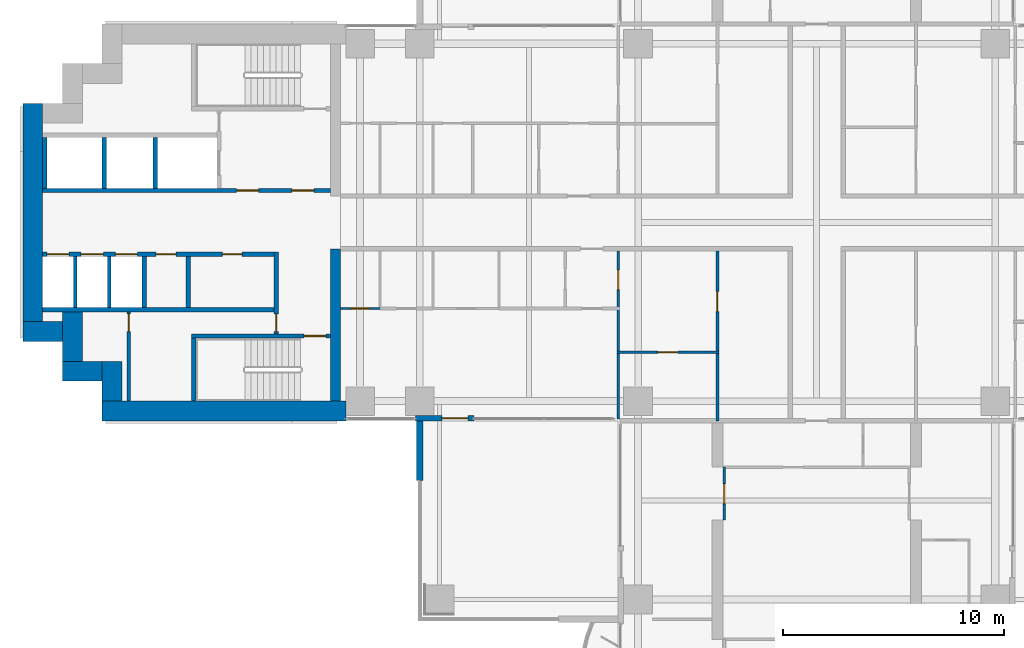
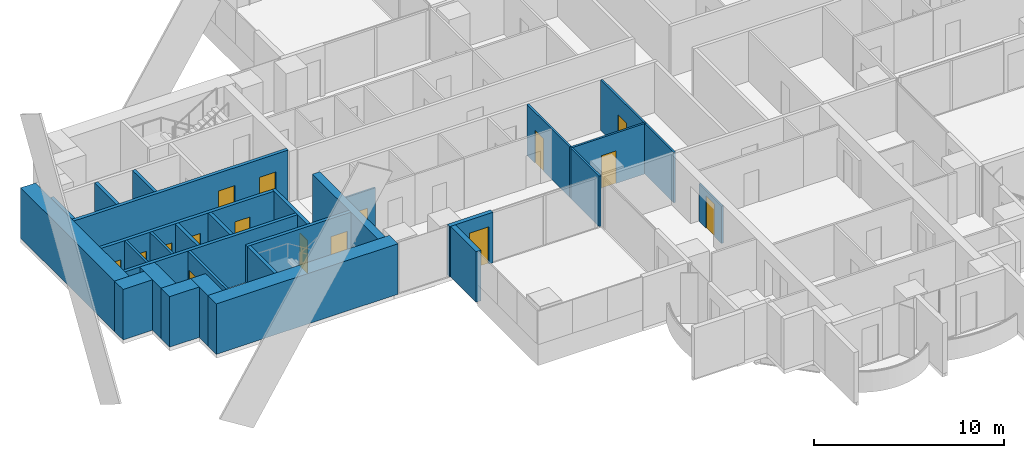
# One storey, part 11 of 21: 28 walls, 16 doors, 16 openings.
"""IFC4 building model written with IfcOpenShell, lengths in metres."""

import ifcopenshell
import ifcopenshell.guid

model = None  # the IFC model being written
_history = None  # IfcOwnerHistory: only IFC2X3 demands one
_inside = {}  # id of a spatial element -> (the spatial element, [elements in it])
_under = {}  # id of a project, library or spatial element -> (it, [spatial elements below it])
_declared = {}  # id of a project -> (the project, [libraries it declares])
_typed = {}  # id of a type object -> (the type object, [elements of that type])
_made_of = {}  # id of a material, layer set ... -> (it, [elements and type objects made of it])


def new_model(schema):
    """Start an empty IFC model of exactly this schema.

    Asked for "IFC4X3", IfcOpenShell would pick the latest addendum, in which some entities
    have other attributes; the version numbers below select the first issue.
    IFC2X3 requires an IfcOwnerHistory on every rooted entity: one is made here for all.
    """
    global model, _history
    if schema == "IFC4X3":
        model = ifcopenshell.file(schema_version=(4, 3, 0, 0))
    else:
        model = ifcopenshell.file(schema=schema)
    _inside.clear()
    _under.clear()
    _declared.clear()
    _typed.clear()
    _made_of.clear()
    _history = None
    if model.schema == "IFC2X3":
        org = make("IfcOrganization", Name="unknown")
        user = make(
            "IfcPersonAndOrganization",
            ThePerson=make("IfcPerson", FamilyName="unknown"),
            TheOrganization=org,
        )
        app = make(
            "IfcApplication",
            ApplicationDeveloper=org,
            Version="unknown",
            ApplicationFullName="unknown",
            ApplicationIdentifier="unknown",
        )
        _history = make(
            "IfcOwnerHistory",
            OwningUser=user,
            OwningApplication=app,
            ChangeAction="ADDED",
            CreationDate=0,
        )
    return model


def make(cls, **values):
    """One entity of the class cls with the attributes given. An attribute that is None is left unset."""
    return model.create_entity(
        cls, **{name: value for name, value in values.items() if value is not None}
    )


def rooted(cls, **values):
    """An entity with a GlobalId (a new one), such as an element, a storey or a relation."""
    return make(cls, GlobalId=ifcopenshell.guid.new(), OwnerHistory=_history, **values)


def si_unit(unit_type, name, prefix=None):
    """IfcSIUnit, for example si_unit("LENGTHUNIT", "METRE", prefix="MILLI")."""
    return make("IfcSIUnit", UnitType=unit_type, Prefix=prefix, Name=name)


def assignment(units):
    """IfcUnitAssignment: the units of a project."""
    return None if units is None else make("IfcUnitAssignment", Units=units)


def point(xyz):
    """IfcCartesianPoint."""
    return None if xyz is None else make("IfcCartesianPoint", Coordinates=xyz)


def direction(xyz):
    """IfcDirection."""
    return None if xyz is None else make("IfcDirection", DirectionRatios=xyz)


def frame(location, z_axis=None, x_axis=None):
    """IfcAxis2Placement3D, a coordinate frame: its origin and axes. An axis left out is left unset."""
    return make(
        "IfcAxis2Placement3D",
        Location=point(location),
        Axis=direction(z_axis),
        RefDirection=direction(x_axis),
    )


def frame_2d(location, x_axis=None):
    """IfcAxis2Placement2D, a coordinate frame in the plane: its origin and x axis."""
    return make(
        "IfcAxis2Placement2D", Location=point(location), RefDirection=direction(x_axis)
    )


def origin():
    """The frame at (0, 0, 0) with its axes left unset."""
    return frame((0.0, 0.0, 0.0))


def place(relative_to, where):
    """IfcLocalPlacement: puts the frame where relative to a parent placement (None: the world)."""
    return make(
        "IfcLocalPlacement", PlacementRelTo=relative_to, RelativePlacement=where
    )


def context(
    kind, dimensions, precision=None, world=None, true_north=None, identifier=None
):
    """IfcGeometricRepresentationContext, for example the 3D "Model" context."""
    return make(
        "IfcGeometricRepresentationContext",
        ContextIdentifier=identifier,
        ContextType=kind,
        CoordinateSpaceDimension=dimensions,
        Precision=precision,
        WorldCoordinateSystem=world,
        TrueNorth=true_north,
    )


def subcontext(parent, identifier, kind, view, scale=None):
    """IfcGeometricRepresentationSubContext, for example "Body" below "Model"."""
    return make(
        "IfcGeometricRepresentationSubContext",
        ContextIdentifier=identifier,
        ContextType=kind,
        ParentContext=parent,
        TargetScale=scale,
        TargetView=view,
    )


def project(units=None, contexts=None):
    """IfcProject with its units and contexts."""
    return rooted(
        "IfcProject",
        Name="project",
        RepresentationContexts=contexts,
        UnitsInContext=assignment(units),
    )


def spatial(cls, under=None, at=None, **own):
    """A site, building, storey or space (cls), placed at a placement, below another one or the project."""
    s = rooted(cls, ObjectPlacement=at, **own)
    if under is not None:
        _under.setdefault(under.id(), (under, []))[1].append(s)
    return s


def profile(cls, at=None, kind="AREA", **sizes):
    """A parametric profile (cls). Its sizes go by their IFC names, for example OverallWidth=200.0."""
    return make(cls, ProfileType=kind, Position=at, **sizes)


def rectangle(**sizes):
    """IfcRectangleProfileDef."""
    return profile("IfcRectangleProfileDef", **sizes)


def extrude(swept, where, along, depth):
    """IfcExtrudedAreaSolid: the profile swept, set in the frame where, extruded along a direction by depth."""
    return make(
        "IfcExtrudedAreaSolid",
        SweptArea=swept,
        Position=where,
        ExtrudedDirection=direction(along),
        Depth=depth,
    )


def shape(context_of_items, identifier, shape_type, items):
    """IfcShapeRepresentation: the items that make up one representation, for example the "Body"."""
    return make(
        "IfcShapeRepresentation",
        ContextOfItems=context_of_items,
        RepresentationIdentifier=identifier,
        RepresentationType=shape_type,
        Items=items,
    )


def material(Name=None, Category=None):
    """IfcMaterial."""
    return make("IfcMaterial", Name=Name, Category=Category)


def layer(
    of_material, thickness, ventilated=None, Name=None, Category=None, Priority=None
):
    """IfcMaterialLayer: one layer of a wall or slab, of a material (None: an air gap)."""
    return make(
        "IfcMaterialLayer",
        Material=of_material,
        LayerThickness=thickness,
        IsVentilated=ventilated,
        Name=Name,
        Category=Category,
        Priority=Priority,
    )


def layer_set(layers, Name=None):
    """IfcMaterialLayerSet."""
    return make("IfcMaterialLayerSet", MaterialLayers=layers, LayerSetName=Name)


def made_of(thing, what):
    """Note that an element or type object is made of a material, layer set ...; save() writes the relation."""
    if what is not None:
        _made_of.setdefault(what.id(), (what, []))[1].append(thing)
    return thing


def type_object(cls, material=None, **own):
    """A type object (cls), such as IfcWallType, which elements share."""
    return made_of(rooted(cls, **own), material)


def element(
    cls,
    number,
    at=None,
    inside=None,
    cuts=None,
    type_object=None,
    material=None,
    context=None,
    identifier="Body",
    shape_type=None,
    held_by="IfcProductDefinitionShape",
    body=None,
    shapes=None,
    **own,
):
    """One element of the class cls, such as IfcWall. Its Tag is "e" and its number.

    at: its placement. inside: the storey or other place that contains it. cuts: it is an
    opening in that element (IfcRelVoidsElement). A single representation is given by context,
    identifier, shape_type and body (its items); several are given by shapes. held_by: the class
    of the entity that holds the representations. save() writes the other relations.
    """
    e = rooted(cls, Tag="e%d" % number, ObjectPlacement=at, **own)
    if body is not None:
        shapes = [shape(context, identifier, shape_type, body)]
    if shapes is not None:
        e.Representation = make(held_by, Representations=shapes)
    if inside is not None:
        _inside.setdefault(inside.id(), (inside, []))[1].append(e)
    if cuts is not None:
        rooted(
            "IfcRelVoidsElement", RelatingBuildingElement=cuts, RelatedOpeningElement=e
        )
    if type_object is not None:
        _typed.setdefault(type_object.id(), (type_object, []))[1].append(e)
    return made_of(e, material)


def fill(opening, filler):
    """IfcRelFillsElement: the door or window that sits in an opening."""
    return rooted(
        "IfcRelFillsElement",
        RelatingOpeningElement=opening,
        RelatedBuildingElement=filler,
    )


def aggregate(whole, parts):
    """IfcRelAggregates: a whole, such as a stair, and the parts it consists of."""
    return rooted("IfcRelAggregates", RelatingObject=whole, RelatedObjects=parts)


def save(model, path):
    """Write the relations noted so far, then the file.

    IfcRelAggregates (storeys below a building ...), IfcRelContainedInSpatialStructure (elements
    in a storey), IfcRelDefinesByType, IfcRelAssociatesMaterial and IfcRelDeclares: one each for
    every whole, place, type object, material and project.
    """
    for whole, parts in _under.values():
        aggregate(whole, parts)
    for where, things in _inside.values():
        rooted(
            "IfcRelContainedInSpatialStructure",
            RelatedElements=things,
            RelatingStructure=where,
        )
    for kind, things in _typed.values():
        rooted("IfcRelDefinesByType", RelatedObjects=things, RelatingType=kind)
    for what, things in _made_of.values():
        rooted("IfcRelAssociatesMaterial", RelatedObjects=things, RelatingMaterial=what)
    for by, libraries in _declared.values():
        rooted("IfcRelDeclares", RelatingContext=by, RelatedDefinitions=libraries)
    model.write(path)


model = new_model("IFC4")

# Units and contexts
model_context = context("Model", 3, precision=1e-05, world=origin(), true_north=direction((0.0, 1.0)))
body_context = subcontext(model_context, "Body", "Model", "MODEL_VIEW")
ifc_project = project(units=[si_unit("LENGTHUNIT", "METRE"), si_unit("AREAUNIT", "SQUARE_METRE"), si_unit("VOLUMEUNIT", "CUBIC_METRE"), si_unit("PLANEANGLEUNIT", "RADIAN"), si_unit("MASSUNIT", "GRAM", prefix="KILO")], contexts=[model_context])

# Site, building, storey
site_placement = place(None, origin())
site = spatial("IfcSite", under=ifc_project, at=site_placement, CompositionType="ELEMENT")
building_placement = place(site_placement, origin())
building = spatial("IfcBuilding", under=site, at=building_placement, Name="Perihelion Cross Residences", CompositionType="ELEMENT")
storey_placement = place(building_placement, frame((0.0, 0.0, 75.0)))
storey = spatial("IfcBuildingStorey", under=building, at=storey_placement, Name="L16", CompositionType="ELEMENT", Elevation=75.0)

# Wall, opening, door
ifc_material_1 = material(Name="Concrete C30/37, bronze-clad", Category="concrete")
ifc_layer_1 = layer(ifc_material_1, 0.25)
ifc_layer_set_1 = layer_set([ifc_layer_1], Name="Bronze-clad pier wall 250")
wall_type_1 = type_object("IfcWallType", Name="Bronze-clad pier wall 250", PredefinedType="SOLIDWALL", material=ifc_layer_set_1)
wall_1_placement = place(storey_placement, frame((-18.199951171875, -8.875, 0.0), z_axis=(0.0, 0.0, 1.0), x_axis=(1.0, 0.0, 0.0)))
wall_1 = element("IfcWall", 1, at=wall_1_placement, inside=storey, type_object=wall_type_1, Name="Wall FW1 L16 west side south bay 2 pier", PredefinedType="SOLIDWALL", context=body_context, shape_type="SweptSolid", body=[
    extrude(rectangle(XDim=2.64990234375, YDim=0.25, at=frame_2d((1.324951171875, 0.0))), origin(), (0.0, 0.0, 1.0), 3.25),
])
opening_1_placement = place(wall_1_placement, frame((1.199951171875, 0.0, 0.0)))
opening_1 = element("IfcOpeningElement", 2, at=opening_1_placement, cuts=wall_1, Name="Opening L16.E09", PredefinedType="OPENING", context=body_context, shape_type="SweptSolid", body=[
    extrude(rectangle(XDim=1.199951171875, YDim=2.39990234375, at=frame_2d((0.60009765625, 1.199951171875))), frame((0.0, 0.135009765625, 0.0), z_axis=(0.0, -1.0, 0.0), x_axis=(1.0, 0.0, 0.0)), (0.0, 0.0, 1.0), 0.27001953125),
])
ifc_material_2 = material(Name="Bronze anodised aluminium, glazed", Category="aluminium")
door_type_1 = type_object("IfcDoorType", Name="Balcony door 1200 x 2400", OperationType="NOTDEFINED", PredefinedType="DOOR", material=ifc_material_2)
door_1_placement = place(opening_1_placement, origin())
door_1 = element("IfcDoor", 3, at=door_1_placement, inside=storey, type_object=door_type_1, Name="Door L16.E09 west side south bay 2", OperationType="SINGLE_SWING_RIGHT", OverallHeight=2.39990234375, OverallWidth=1.199951171875, PredefinedType="DOOR", context=body_context, shape_type="SweptSolid", body=[
    extrude(rectangle(XDim=1.199951171875, YDim=2.39990234375, at=frame_2d((0.60009765625, 1.199951171875))), frame((0.0, 0.02490234375, 0.0), z_axis=(0.0, -1.0, 0.0), x_axis=(1.0, 0.0, 0.0)), (0.0, 0.0, 1.0), 0.050048828125),
])
fill(opening_1, door_1)

# Walls
ifc_material_3 = material(Name="Concrete C60/75", Category="concrete")
ifc_layer_2 = layer(ifc_material_3, 0.449951171875)
ifc_layer_set_2 = layer_set([ifc_layer_2], Name="Core wall, inner 450")
wall_type_2 = type_object("IfcWallType", Name="Core wall, inner 450", PredefinedType="SHEAR", material=ifc_layer_set_2)
wall_2_placement = place(storey_placement, frame((-21.824951171875, -8.10009765625, 0.0), z_axis=(0.0, 0.0, 1.0), x_axis=(0.0, 1.0, 0.0)))
element("IfcWall", 4, at=wall_2_placement, inside=storey, type_object=wall_type_2, Name="West core core wall, inner", PredefinedType="SHEAR", context=body_context, shape_type="SweptSolid", body=[
    extrude(rectangle(XDim=6.900146484375, YDim=0.449951171875, at=frame_2d((3.4501953125, 0.0))), origin(), (0.0, 0.0, 1.0), 3.25),
])
ifc_material_4 = material(Name="Concrete C60/75", Category="concrete")
ifc_layer_3 = layer(ifc_material_4, 0.89990234375)
ifc_layer_set_3 = layer_set([ifc_layer_3], Name="Core wall, outer 900")
wall_type_3 = type_object("IfcWallType", Name="Core wall, outer 900", PredefinedType="SHEAR", material=ifc_layer_set_3)
wall_3_placement = place(storey_placement, frame((-32.39990234375, -8.550048828125, 0.0), z_axis=(0.0, 0.0, 1.0), x_axis=(1.0, 0.0, 0.0)))
element("IfcWall", 5, at=wall_3_placement, inside=storey, type_object=wall_type_3, Name="West core core wall, outer", PredefinedType="SHEAR", context=body_context, shape_type="SweptSolid", body=[
    extrude(rectangle(XDim=11.0498046875, YDim=0.89990234375, at=frame_2d((5.52490234375, 0.0))), origin(), (0.0, 0.0, 1.0), 3.25),
])
for number, where, z_axis, x_axis, name in (
    (6, (-31.949951171875, -8.10009765625, 0.0), (0.0, 0.0, 1.0), (0.0, 1.0, 0.0), "West core core wall, outer"),
    (7, (-34.199951171875, -6.75, 0.0), (0.0, 0.0, 1.0), (1.0, 0.0, 0.0), "West core core wall, outer"),
):
    element("IfcWall", number, at=place(storey_placement, frame(where, z_axis=z_axis, x_axis=x_axis)), inside=storey, type_object=wall_type_3, Name=name, PredefinedType="SHEAR", context=body_context, shape_type="SweptSolid", body=[
        extrude(rectangle(XDim=1.800048828125, YDim=0.89990234375, at=frame_2d((0.89990234375, 0.0))), origin(), (0.0, 0.0, 1.0), 3.25),
    ])
wall_4_placement = place(storey_placement, frame((-33.75, -6.300048828125, 0.0), z_axis=(0.0, 0.0, 1.0), x_axis=(0.0, 1.0, 0.0)))
element("IfcWall", 8, at=wall_4_placement, inside=storey, type_object=wall_type_3, Name="West core core wall, outer", PredefinedType="SHEAR", context=body_context, shape_type="SweptSolid", body=[
    extrude(rectangle(XDim=2.25, YDim=0.89990234375, at=frame_2d((1.125, 0.0))), origin(), (0.0, 0.0, 1.0), 3.25),
])
wall_5_placement = place(storey_placement, frame((-36.0, -4.949951171875, 0.0), z_axis=(0.0, 0.0, 1.0), x_axis=(1.0, 0.0, 0.0)))
element("IfcWall", 9, at=wall_5_placement, inside=storey, type_object=wall_type_3, Name="West core core wall, outer", PredefinedType="SHEAR", context=body_context, shape_type="SweptSolid", body=[
    extrude(rectangle(XDim=1.800048828125, YDim=0.89990234375, at=frame_2d((0.89990234375, 0.0))), origin(), (0.0, 0.0, 1.0), 3.25),
])
wall_6_placement = place(storey_placement, frame((-35.550048828125, -4.5, 0.0), z_axis=(0.0, 0.0, 1.0), x_axis=(0.0, 1.0, 0.0)))
element("IfcWall", 10, at=wall_6_placement, inside=storey, type_object=wall_type_3, Name="West core core wall, outer", PredefinedType="SHEAR", context=body_context, shape_type="SweptSolid", body=[
    extrude(rectangle(XDim=9.89990234375, YDim=0.89990234375, at=frame_2d((4.949951171875, 0.0))), origin(), (0.0, 0.0, 1.0), 3.25),
])

# Wall, opening, door
ifc_material_5 = material(Name="Plasterboard partition")
ifc_layer_4 = layer(ifc_material_5, 0.1201171875)
ifc_layer_set_4 = layer_set([ifc_layer_4], Name="Infill panel 120")
wall_type_4 = type_object("IfcWallType", Name="Infill panel 120", PredefinedType="PARTITIONING", material=ifc_layer_set_4)
wall_7_placement = place(storey_placement, frame((-4.18994140625, -11.10009765625, 0.0), z_axis=(0.0, 0.0, 1.0), x_axis=(0.0, -1.0, 0.0)))
wall_7 = element("IfcWall", 11, at=wall_7_placement, inside=storey, type_object=wall_type_4, Name="Partition L16 WI07", PredefinedType="PARTITIONING", context=body_context, shape_type="SweptSolid", body=[
    extrude(rectangle(XDim=2.39990234375, YDim=0.1201171875, at=frame_2d((1.199951171875, 0.0))), origin(), (0.0, 0.0, 1.0), 2.39990234375),
])
opening_2_placement = place(wall_7_placement, frame((0.75, 0.0, 0.0)))
opening_2 = element("IfcOpeningElement", 12, at=opening_2_placement, cuts=wall_7, Name="Opening L16.A56", PredefinedType="OPENING", context=body_context, shape_type="SweptSolid", body=[
    extrude(rectangle(XDim=0.89990234375, YDim=2.10009765625, at=frame_2d((0.449951171875, 1.050048828125))), frame((0.0, 0.070068359375, 0.0), z_axis=(0.0, -1.0, 0.0), x_axis=(1.0, 0.0, 0.0)), (0.0, 0.0, 1.0), 0.14013671875),
])
ifc_material_6 = material(Name="Timber door leaf", Category="wood")
door_type_2 = type_object("IfcDoorType", Name="Interior room door 900 x 2100", OperationType="SINGLE_SWING_LEFT", PredefinedType="DOOR", material=ifc_material_6)
door_2_placement = place(opening_2_placement, origin())
door_2 = element("IfcDoor", 13, at=door_2_placement, inside=storey, type_object=door_type_2, Name="Door L16.A56", OperationType="SINGLE_SWING_RIGHT", OverallHeight=2.10009765625, OverallWidth=0.89990234375, PredefinedType="DOOR", context=body_context, shape_type="SweptSolid", body=[
    extrude(rectangle(XDim=0.89990234375, YDim=2.10009765625, at=frame_2d((0.449951171875, 1.050048828125))), frame((0.0, 0.02490234375, 0.0), z_axis=(0.0, -1.0, 0.0), x_axis=(1.0, 0.0, 0.0)), (0.0, 0.0, 1.0), 0.050048828125),
])
fill(opening_2, door_2)

ifc_material_7 = material(Name="Concrete C50/60", Category="concrete")
ifc_layer_5 = layer(ifc_material_7, 0.199951171875)
ifc_layer_set_5 = layer_set([ifc_layer_5], Name="Lobby wall 200")
wall_type_5 = type_object("IfcWallType", Name="Lobby wall 200", PredefinedType="SOLIDWALL", material=ifc_layer_set_5)
wall_8_placement = place(storey_placement, frame((-24.5, -5.050048828125, 0.0), z_axis=(0.0, 0.0, 1.0), x_axis=(0.0, 1.0, 0.0)))
wall_8 = element("IfcWall", 14, at=wall_8_placement, inside=storey, type_object=wall_type_5, Name="West core lobby wall", PredefinedType="SOLIDWALL", context=body_context, shape_type="SweptSolid", body=[
    extrude(rectangle(XDim=3.699951171875, YDim=0.199951171875, at=frame_2d((1.85009765625, 0.0))), origin(), (0.0, 0.0, 1.0), 3.25),
])
opening_3_placement = place(wall_8_placement, frame((0.10009765625, 0.0, 0.0)))
opening_3 = element("IfcOpeningElement", 15, at=opening_3_placement, cuts=wall_8, Name="Opening L16.C21", PredefinedType="OPENING", context=body_context, shape_type="SweptSolid", body=[
    extrude(rectangle(XDim=0.800048828125, YDim=2.10009765625, at=frame_2d((0.39990234375, 1.050048828125))), frame((0.0, 0.10986328125, 0.0), z_axis=(0.0, -1.0, 0.0), x_axis=(1.0, 0.0, 0.0)), (0.0, 0.0, 1.0), 0.219970703125),
])
ifc_material_8 = material(Name="Steel, powder coated", Category="steel")
door_type_3 = type_object("IfcDoorType", Name="Riser door 800", OperationType="SINGLE_SWING_LEFT", PredefinedType="DOOR", material=ifc_material_8)
door_3_placement = place(opening_3_placement, origin())
door_3 = element("IfcDoor", 16, at=door_3_placement, inside=storey, type_object=door_type_3, Name="West core riser door", OperationType="SINGLE_SWING_LEFT", OverallHeight=2.10009765625, OverallWidth=0.800048828125, PredefinedType="DOOR", context=body_context, shape_type="SweptSolid", body=[
    extrude(rectangle(XDim=0.800048828125, YDim=2.10009765625, at=frame_2d((0.39990234375, 1.050048828125))), frame((0.0, 0.02490234375, 0.0), z_axis=(0.0, -1.0, 0.0), x_axis=(1.0, 0.0, 0.0)), (0.0, 0.0, 1.0), 0.050048828125),
])
fill(opening_3, door_3)

ifc_material_9 = material(Name="Plasterboard partition")
ifc_layer_6 = layer(ifc_material_9, 0.1201171875)
ifc_layer_set_6 = layer_set([ifc_layer_6], Name="Partition wall 120")
wall_type_6 = type_object("IfcWallType", Name="Partition wall 120", PredefinedType="PARTITIONING", material=ifc_layer_set_6)
wall_9_placement = place(storey_placement, frame((-9.0, -1.300048828125, 0.0), z_axis=(0.0, 0.0, 1.0), x_axis=(0.0, -1.0, 0.0)))
wall_9 = element("IfcWall", 17, at=wall_9_placement, inside=storey, type_object=wall_type_6, Name="Partition L16 W044", PredefinedType="PARTITIONING", context=body_context, shape_type="SweptSolid", body=[
    extrude(rectangle(XDim=7.619873046875, YDim=0.1201171875, at=frame_2d((3.81005859375, 0.0))), origin(), (0.0, 0.0, 1.0), 3.25),
])
opening_4_placement = place(wall_9_placement, frame((0.85009765625, 0.0, 0.0)))
opening_4 = element("IfcOpeningElement", 18, at=opening_4_placement, cuts=wall_9, Name="Opening L16.A26", PredefinedType="OPENING", context=body_context, shape_type="SweptSolid", body=[
    extrude(rectangle(XDim=0.89990234375, YDim=2.10009765625, at=frame_2d((0.449951171875, 1.050048828125))), frame((0.0, 0.070068359375, 0.0), z_axis=(0.0, -1.0, 0.0), x_axis=(1.0, 0.0, 0.0)), (0.0, 0.0, 1.0), 0.14013671875),
])
door_4_placement = place(opening_4_placement, origin())
door_4 = element("IfcDoor", 19, at=door_4_placement, inside=storey, type_object=door_type_2, Name="Door L16.A26", OperationType="SINGLE_SWING_RIGHT", OverallHeight=2.10009765625, OverallWidth=0.89990234375, PredefinedType="DOOR", context=body_context, shape_type="SweptSolid", body=[
    extrude(rectangle(XDim=0.89990234375, YDim=2.10009765625, at=frame_2d((0.449951171875, 1.050048828125))), frame((0.0, 0.02490234375, 0.0), z_axis=(0.0, -1.0, 0.0), x_axis=(1.0, 0.0, 0.0)), (0.0, 0.0, 1.0), 0.050048828125),
])
fill(opening_4, door_4)

wall_10_placement = place(storey_placement, frame((-4.43994140625, -5.8798828125, 0.0), z_axis=(0.0, 0.0, 1.0), x_axis=(-1.0, 0.0, 0.0)))
wall_10 = element("IfcWall", 20, at=wall_10_placement, inside=storey, type_object=wall_type_6, Name="Partition L16 W051", PredefinedType="PARTITIONING", context=body_context, shape_type="SweptSolid", body=[
    extrude(rectangle(XDim=4.6201171875, YDim=0.1201171875, at=frame_2d((2.31005859375, 0.0))), origin(), (0.0, 0.0, 1.0), 3.25),
])
opening_5_placement = place(wall_10_placement, frame((1.860107421875, 0.0, 0.0)))
opening_5 = element("IfcOpeningElement", 21, at=opening_5_placement, cuts=wall_10, Name="Opening L16.A28", PredefinedType="OPENING", context=body_context, shape_type="SweptSolid", body=[
    extrude(rectangle(XDim=0.89990234375, YDim=2.10009765625, at=frame_2d((0.449951171875, 1.050048828125))), frame((0.0, 0.070068359375, 0.0), z_axis=(0.0, -1.0, 0.0), x_axis=(1.0, 0.0, 0.0)), (0.0, 0.0, 1.0), 0.14013671875),
])
door_5_placement = place(opening_5_placement, origin())
door_5 = element("IfcDoor", 22, at=door_5_placement, inside=storey, type_object=door_type_2, Name="Door L16.A28", OperationType="SINGLE_SWING_RIGHT", OverallHeight=2.10009765625, OverallWidth=0.89990234375, PredefinedType="DOOR", context=body_context, shape_type="SweptSolid", body=[
    extrude(rectangle(XDim=0.89990234375, YDim=2.10009765625, at=frame_2d((0.449951171875, 1.050048828125))), frame((0.0, 0.02490234375, 0.0), z_axis=(0.0, -1.0, 0.0), x_axis=(1.0, 0.0, 0.0)), (0.0, 0.0, 1.0), 0.050048828125),
])
fill(opening_5, door_5)

wall_11_placement = place(storey_placement, frame((-4.5, -1.300048828125, 0.0), z_axis=(0.0, 0.0, 1.0), x_axis=(0.0, -1.0, 0.0)))
wall_11 = element("IfcWall", 23, at=wall_11_placement, inside=storey, type_object=wall_type_6, Name="Partition L16 W052", PredefinedType="PARTITIONING", context=body_context, shape_type="SweptSolid", body=[
    extrude(rectangle(XDim=7.699951171875, YDim=0.1201171875, at=frame_2d((3.85009765625, 0.0))), origin(), (0.0, 0.0, 1.0), 3.25),
])
opening_6_placement = place(wall_11_placement, frame((1.840087890625, 0.0, 0.0)))
opening_6 = element("IfcOpeningElement", 24, at=opening_6_placement, cuts=wall_11, Name="Opening L16.A25", PredefinedType="OPENING", context=body_context, shape_type="SweptSolid", body=[
    extrude(rectangle(XDim=0.89990234375, YDim=2.10009765625, at=frame_2d((0.449951171875, 1.050048828125))), frame((0.0, 0.070068359375, 0.0), z_axis=(0.0, -1.0, 0.0), x_axis=(1.0, 0.0, 0.0)), (0.0, 0.0, 1.0), 0.14013671875),
])
door_6_placement = place(opening_6_placement, origin())
door_6 = element("IfcDoor", 25, at=door_6_placement, inside=storey, type_object=door_type_2, Name="Door L16.A25", OperationType="SINGLE_SWING_RIGHT", OverallHeight=2.10009765625, OverallWidth=0.89990234375, PredefinedType="DOOR", context=body_context, shape_type="SweptSolid", body=[
    extrude(rectangle(XDim=0.89990234375, YDim=2.10009765625, at=frame_2d((0.449951171875, 1.050048828125))), frame((0.0, 0.02490234375, 0.0), z_axis=(0.0, -1.0, 0.0), x_axis=(1.0, 0.0, 0.0)), (0.0, 0.0, 1.0), 0.050048828125),
])
fill(opening_6, door_6)

# Wall
ifc_material_10 = material(Name="Precast concrete C50/60", Category="concrete")
ifc_layer_7 = layer(ifc_material_10, 0.300048828125)
ifc_layer_set_7 = layer_set([ifc_layer_7], Name="Precast concrete C50/60 blade wall 300")
wall_type_7 = type_object("IfcWallType", Name="Precast concrete C50/60 blade wall 300", PredefinedType="SOLIDWALL", material=ifc_layer_set_7)
wall_12_placement = place(storey_placement, frame((-18.0, -8.75, 0.0), z_axis=(0.0, 0.0, 1.0), x_axis=(0.0, -1.0, 0.0)))
element("IfcWall", 26, at=wall_12_placement, inside=storey, type_object=wall_type_7, Name="Wall BL1 L16 no. 1", PredefinedType="SOLIDWALL", context=body_context, shape_type="SweptSolid", body=[
    extrude(rectangle(XDim=2.949951171875, YDim=0.300048828125, at=frame_2d((1.47509765625, 0.0))), origin(), (0.0, 0.0, 1.0), 3.25),
])

# Wall, opening, door
ifc_material_11 = material(Name="Fire-rated board on steel stud", Category="steel")
ifc_layer_8 = layer(ifc_material_11, 0.14990234375)
ifc_layer_set_8 = layer_set([ifc_layer_8], Name="Riser wall 150")
wall_type_8 = type_object("IfcWallType", Name="Riser wall 150", PredefinedType="PARTITIONING", material=ifc_layer_set_8)
wall_13_placement = place(storey_placement, frame((-31.199951171875, -8.10009765625, 0.0), z_axis=(0.0, 0.0, 1.0), x_axis=(0.0, 1.0, 0.0)))
wall_13 = element("IfcWall", 27, at=wall_13_placement, inside=storey, type_object=wall_type_8, Name="West core riser wall", PredefinedType="PARTITIONING", context=body_context, shape_type="SweptSolid", body=[
    extrude(rectangle(XDim=4.050048828125, YDim=0.14990234375, at=frame_2d((2.02490234375, 0.0))), origin(), (0.0, 0.0, 1.0), 3.25),
])
opening_7_placement = place(wall_13_placement, frame((3.14990234375, 0.0, 0.0)))
opening_7 = element("IfcOpeningElement", 28, at=opening_7_placement, cuts=wall_13, Name="Opening L16.C26", PredefinedType="OPENING", context=body_context, shape_type="SweptSolid", body=[
    extrude(rectangle(XDim=0.800048828125, YDim=2.10009765625, at=frame_2d((0.39990234375, 1.050048828125))), frame((0.0, 0.0849609375, 0.0), z_axis=(0.0, -1.0, 0.0), x_axis=(1.0, 0.0, 0.0)), (0.0, 0.0, 1.0), 0.169921875),
])
door_7_placement = place(opening_7_placement, origin())
door_7 = element("IfcDoor", 29, at=door_7_placement, inside=storey, type_object=door_type_3, Name="West core riser door", OperationType="SINGLE_SWING_LEFT", OverallHeight=2.10009765625, OverallWidth=0.800048828125, PredefinedType="DOOR", context=body_context, shape_type="SweptSolid", body=[
    extrude(rectangle(XDim=0.800048828125, YDim=2.10009765625, at=frame_2d((0.39990234375, 1.050048828125))), frame((0.0, 0.02490234375, 0.0), z_axis=(0.0, -1.0, 0.0), x_axis=(1.0, 0.0, 0.0)), (0.0, 0.0, 1.0), 0.050048828125),
])
fill(opening_7, door_7)

# Walls
ifc_material_12 = material(Name="Fire-rated board on steel stud", Category="steel")
ifc_layer_9 = layer(ifc_material_12, 0.199951171875)
ifc_layer_set_9 = layer_set([ifc_layer_9], Name="Riser wall 200")
wall_type_9 = type_object("IfcWallType", Name="Riser wall 200", PredefinedType="PARTITIONING", material=ifc_layer_set_9)
wall_14_placement = place(storey_placement, frame((-28.5, -3.85009765625, 0.0), z_axis=(0.0, 0.0, 1.0), x_axis=(0.0, 1.0, 0.0)))
element("IfcWall", 30, at=wall_14_placement, inside=storey, type_object=wall_type_9, Name="West core riser wall", PredefinedType="PARTITIONING", context=body_context, shape_type="SweptSolid", body=[
    extrude(rectangle(XDim=2.300048828125, YDim=0.199951171875, at=frame_2d((1.14990234375, 0.0))), origin(), (0.0, 0.0, 1.0), 3.25),
])
ifc_material_13 = material(Name="Concrete C50/60", Category="concrete")
ifc_layer_10 = layer(ifc_material_13, 0.14990234375)
ifc_layer_set_10 = layer_set([ifc_layer_10], Name="Shaft wall 150")
wall_type_10 = type_object("IfcWallType", Name="Shaft wall 150", PredefinedType="SOLIDWALL", material=ifc_layer_set_10)
for number, where, z_axis, x_axis, name in (
    (31, (-32.074951171875, -3.85009765625, 0.0), (0.0, 0.0, 1.0), (0.0, 1.0, 0.0), "West core shaft wall"),
    (32, (-33.625, -3.85009765625, 0.0), (0.0, 0.0, 1.0), (0.0, 1.0, 0.0), "West core shaft wall"),
):
    element("IfcWall", number, at=place(storey_placement, frame(where, z_axis=z_axis, x_axis=x_axis)), inside=storey, type_object=wall_type_10, Name=name, PredefinedType="SOLIDWALL", context=body_context, shape_type="SweptSolid", body=[
        extrude(rectangle(XDim=2.300048828125, YDim=0.14990234375, at=frame_2d((1.14990234375, 0.0))), origin(), (0.0, 0.0, 1.0), 3.25),
    ])

# Wall, openings, doors
ifc_material_14 = material(Name="Concrete C50/60", Category="concrete")
ifc_layer_11 = layer(ifc_material_14, 0.199951171875)
ifc_layer_set_11 = layer_set([ifc_layer_11], Name="Shaft wall 200")
wall_type_11 = type_object("IfcWallType", Name="Shaft wall 200", PredefinedType="SOLIDWALL", material=ifc_layer_set_11)
wall_15_placement = place(storey_placement, frame((-35.10009765625, 1.449951171875, 0.0), z_axis=(0.0, 0.0, 1.0), x_axis=(1.0, 0.0, 0.0)))
wall_15 = element("IfcWall", 33, at=wall_15_placement, inside=storey, type_object=wall_type_11, Name="West core shaft wall", PredefinedType="SOLIDWALL", context=body_context, shape_type="SweptSolid", body=[
    extrude(rectangle(XDim=13.050048828125, YDim=0.199951171875, at=frame_2d((6.52490234375, 0.0))), origin(), (0.0, 0.0, 1.0), 3.25),
])
opening_8_placement = place(wall_15_placement, frame((11.300048828125, 0.0, 0.0)))
opening_8 = element("IfcOpeningElement", 34, at=opening_8_placement, cuts=wall_15, Name="Opening L16.C20", PredefinedType="OPENING", context=body_context, shape_type="SweptSolid", body=[
    extrude(rectangle(XDim=1.0, YDim=2.10009765625, at=frame_2d((0.5, 1.050048828125))), frame((0.0, 0.10986328125, 0.0), z_axis=(0.0, -1.0, 0.0), x_axis=(1.0, 0.0, 0.0)), (0.0, 0.0, 1.0), 0.219970703125),
])
opening_9_placement = place(wall_15_placement, frame((8.800048828125, 0.0, 0.0)))
opening_9 = element("IfcOpeningElement", 35, at=opening_9_placement, cuts=wall_15, Name="Opening L16.C22", PredefinedType="OPENING", context=body_context, shape_type="SweptSolid", body=[
    extrude(rectangle(XDim=1.0, YDim=2.10009765625, at=frame_2d((0.5, 1.050048828125))), frame((0.0, 0.10986328125, 0.0), z_axis=(0.0, -1.0, 0.0), x_axis=(1.0, 0.0, 0.0)), (0.0, 0.0, 1.0), 0.219970703125),
])
ifc_material_15 = material(Name="Steel, powder coated", Category="steel")
door_type_4 = type_object("IfcDoorType", Name="Lobby door 1000", OperationType="SINGLE_SWING_LEFT", PredefinedType="DOOR", material=ifc_material_15)
door_8_placement = place(opening_8_placement, origin())
door_8 = element("IfcDoor", 36, at=door_8_placement, inside=storey, type_object=door_type_4, Name="West core firefighting lobby door", OperationType="SINGLE_SWING_LEFT", OverallHeight=2.10009765625, OverallWidth=1.0, PredefinedType="DOOR", context=body_context, shape_type="SweptSolid", body=[
    extrude(rectangle(XDim=1.0, YDim=2.10009765625, at=frame_2d((0.5, 1.050048828125))), frame((0.0, 0.02490234375, 0.0), z_axis=(0.0, -1.0, 0.0), x_axis=(1.0, 0.0, 0.0)), (0.0, 0.0, 1.0), 0.050048828125),
])
fill(opening_8, door_8)
door_9_placement = place(opening_9_placement, origin())
door_9 = element("IfcDoor", 37, at=door_9_placement, inside=storey, type_object=door_type_4, Name="West core firefighting lobby door", OperationType="SINGLE_SWING_LEFT", OverallHeight=2.10009765625, OverallWidth=1.0, PredefinedType="DOOR", context=body_context, shape_type="SweptSolid", body=[
    extrude(rectangle(XDim=1.0, YDim=2.10009765625, at=frame_2d((0.5, 1.050048828125))), frame((0.0, 0.02490234375, 0.0), z_axis=(0.0, -1.0, 0.0), x_axis=(1.0, 0.0, 0.0)), (0.0, 0.0, 1.0), 0.050048828125),
])
fill(opening_9, door_9)

wall_16_placement = place(storey_placement, frame((-35.10009765625, -1.449951171875, 0.0), z_axis=(0.0, 0.0, 1.0), x_axis=(1.0, 0.0, 0.0)))
wall_16 = element("IfcWall", 38, at=wall_16_placement, inside=storey, type_object=wall_type_11, Name="West core shaft wall", PredefinedType="SOLIDWALL", context=body_context, shape_type="SweptSolid", body=[
    extrude(rectangle(XDim=10.5, YDim=0.199951171875, at=frame_2d((5.25, 0.0))), origin(), (0.0, 0.0, 1.0), 3.25),
])
opening_10_placement = place(wall_16_placement, frame((3.300048828125, 0.0, 0.0)))
opening_10 = element("IfcOpeningElement", 39, at=opening_10_placement, cuts=wall_16, Name="Opening L16.C15", PredefinedType="OPENING", context=body_context, shape_type="SweptSolid", body=[
    extrude(rectangle(XDim=1.0, YDim=2.10009765625, at=frame_2d((0.5, 1.050048828125))), frame((0.0, 0.10986328125, 0.0), z_axis=(0.0, -1.0, 0.0), x_axis=(1.0, 0.0, 0.0)), (0.0, 0.0, 1.0), 0.219970703125),
])
opening_11_placement = place(wall_16_placement, frame((1.75, 0.0, 0.0)))
opening_11 = element("IfcOpeningElement", 40, at=opening_11_placement, cuts=wall_16, Name="Opening L16.C16", PredefinedType="OPENING", context=body_context, shape_type="SweptSolid", body=[
    extrude(rectangle(XDim=1.0, YDim=2.10009765625, at=frame_2d((0.5, 1.050048828125))), frame((0.0, 0.10986328125, 0.0), z_axis=(0.0, -1.0, 0.0), x_axis=(1.0, 0.0, 0.0)), (0.0, 0.0, 1.0), 0.219970703125),
])
opening_12_placement = place(wall_16_placement, frame((0.199951171875, 0.0, 0.0)))
opening_12 = element("IfcOpeningElement", 41, at=opening_12_placement, cuts=wall_16, Name="Opening L16.C17", PredefinedType="OPENING", context=body_context, shape_type="SweptSolid", body=[
    extrude(rectangle(XDim=1.0, YDim=2.10009765625, at=frame_2d((0.5, 1.050048828125))), frame((0.0, 0.10986328125, 0.0), z_axis=(0.0, -1.0, 0.0), x_axis=(1.0, 0.0, 0.0)), (0.0, 0.0, 1.0), 0.219970703125),
])
opening_13_placement = place(wall_16_placement, frame((8.14990234375, 0.0, 0.0)))
opening_13 = element("IfcOpeningElement", 42, at=opening_13_placement, cuts=wall_16, Name="Opening L16.C23", PredefinedType="OPENING", context=body_context, shape_type="SweptSolid", body=[
    extrude(rectangle(XDim=0.89990234375, YDim=2.10009765625, at=frame_2d((0.449951171875, 1.050048828125))), frame((0.0, 0.10986328125, 0.0), z_axis=(0.0, -1.0, 0.0), x_axis=(1.0, 0.0, 0.0)), (0.0, 0.0, 1.0), 0.219970703125),
])
opening_14_placement = place(wall_16_placement, frame((5.14990234375, 0.0, 0.0)))
opening_14 = element("IfcOpeningElement", 43, at=opening_14_placement, cuts=wall_16, Name="Opening L16.C25", PredefinedType="OPENING", context=body_context, shape_type="SweptSolid", body=[
    extrude(rectangle(XDim=0.89990234375, YDim=2.10009765625, at=frame_2d((0.449951171875, 1.050048828125))), frame((0.0, 0.10986328125, 0.0), z_axis=(0.0, -1.0, 0.0), x_axis=(1.0, 0.0, 0.0)), (0.0, 0.0, 1.0), 0.219970703125),
])
ifc_material_16 = material(Name="Stainless steel", Category="steel")
door_type_5 = type_object("IfcDoorType", Name="Landing door 1000", OperationType="DOUBLE_DOOR_SLIDING", PredefinedType="DOOR", material=ifc_material_16)
door_10_placement = place(opening_10_placement, origin())
door_10 = element("IfcDoor", 44, at=door_10_placement, inside=storey, type_object=door_type_5, Name="Landing door, West core low-rise lift 1", OperationType="DOUBLE_DOOR_SLIDING", OverallHeight=2.10009765625, OverallWidth=1.0, PredefinedType="DOOR", context=body_context, shape_type="SweptSolid", body=[
    extrude(rectangle(XDim=1.0, YDim=2.10009765625, at=frame_2d((0.5, 1.050048828125))), frame((0.0, 0.02490234375, 0.0), z_axis=(0.0, -1.0, 0.0), x_axis=(1.0, 0.0, 0.0)), (0.0, 0.0, 1.0), 0.050048828125),
])
fill(opening_10, door_10)
door_11_placement = place(opening_11_placement, origin())
door_11 = element("IfcDoor", 45, at=door_11_placement, inside=storey, type_object=door_type_5, Name="Landing door, West core low-rise lift 2", OperationType="DOUBLE_DOOR_SLIDING", OverallHeight=2.10009765625, OverallWidth=1.0, PredefinedType="DOOR", context=body_context, shape_type="SweptSolid", body=[
    extrude(rectangle(XDim=1.0, YDim=2.10009765625, at=frame_2d((0.5, 1.050048828125))), frame((0.0, 0.02490234375, 0.0), z_axis=(0.0, -1.0, 0.0), x_axis=(1.0, 0.0, 0.0)), (0.0, 0.0, 1.0), 0.050048828125),
])
fill(opening_11, door_11)
door_12_placement = place(opening_12_placement, origin())
door_12 = element("IfcDoor", 46, at=door_12_placement, inside=storey, type_object=door_type_5, Name="Landing door, West core low-rise lift 3", OperationType="DOUBLE_DOOR_SLIDING", OverallHeight=2.10009765625, OverallWidth=1.0, PredefinedType="DOOR", context=body_context, shape_type="SweptSolid", body=[
    extrude(rectangle(XDim=1.0, YDim=2.10009765625, at=frame_2d((0.5, 1.050048828125))), frame((0.0, 0.02490234375, 0.0), z_axis=(0.0, -1.0, 0.0), x_axis=(1.0, 0.0, 0.0)), (0.0, 0.0, 1.0), 0.050048828125),
])
fill(opening_12, door_12)
ifc_material_17 = material(Name="Steel, powder coated", Category="steel")
door_type_6 = type_object("IfcDoorType", Name="Service room door 900", OperationType="SINGLE_SWING_LEFT", PredefinedType="DOOR", material=ifc_material_17)
door_13_placement = place(opening_13_placement, origin())
door_13 = element("IfcDoor", 47, at=door_13_placement, inside=storey, type_object=door_type_6, Name="West core service room door", OperationType="SINGLE_SWING_LEFT", OverallHeight=2.10009765625, OverallWidth=0.89990234375, PredefinedType="DOOR", context=body_context, shape_type="SweptSolid", body=[
    extrude(rectangle(XDim=0.89990234375, YDim=2.10009765625, at=frame_2d((0.449951171875, 1.050048828125))), frame((0.0, 0.02490234375, 0.0), z_axis=(0.0, -1.0, 0.0), x_axis=(1.0, 0.0, 0.0)), (0.0, 0.0, 1.0), 0.050048828125),
])
fill(opening_13, door_13)
door_14_placement = place(opening_14_placement, origin())
door_14 = element("IfcDoor", 48, at=door_14_placement, inside=storey, type_object=door_type_6, Name="West core service room door", OperationType="SINGLE_SWING_LEFT", OverallHeight=2.10009765625, OverallWidth=0.89990234375, PredefinedType="DOOR", context=body_context, shape_type="SweptSolid", body=[
    extrude(rectangle(XDim=0.89990234375, YDim=2.10009765625, at=frame_2d((0.449951171875, 1.050048828125))), frame((0.0, 0.02490234375, 0.0), z_axis=(0.0, -1.0, 0.0), x_axis=(1.0, 0.0, 0.0)), (0.0, 0.0, 1.0), 0.050048828125),
])
fill(opening_14, door_14)

# Walls
wall_17_placement = place(storey_placement, frame((-35.10009765625, -3.949951171875, 0.0), z_axis=(0.0, 0.0, 1.0), x_axis=(1.0, 0.0, 0.0)))
element("IfcWall", 49, at=wall_17_placement, inside=storey, type_object=wall_type_11, Name="West core shaft wall", PredefinedType="SOLIDWALL", context=body_context, shape_type="SweptSolid", body=[
    extrude(rectangle(XDim=10.5, YDim=0.199951171875, at=frame_2d((5.25, 0.0))), origin(), (0.0, 0.0, 1.0), 3.25),
])
for number, where, z_axis, x_axis, name in (
    (50, (-30.0, 1.550048828125, 0.0), (0.0, 0.0, 1.0), (0.0, 1.0, 0.0), "West core shaft wall"),
    (51, (-32.300048828125, 1.550048828125, 0.0), (0.0, 0.0, 1.0), (0.0, 1.0, 0.0), "West core shaft wall"),
    (52, (-35.0, 1.550048828125, 0.0), (0.0, 0.0, 1.0), (0.0, 1.0, 0.0), "West core shaft wall"),
    (53, (-30.5, -3.85009765625, 0.0), (0.0, 0.0, 1.0), (0.0, 1.0, 0.0), "West core shaft wall"),
):
    element("IfcWall", number, at=place(storey_placement, frame(where, z_axis=z_axis, x_axis=x_axis)), inside=storey, type_object=wall_type_11, Name=name, PredefinedType="SOLIDWALL", context=body_context, shape_type="SweptSolid", body=[
        extrude(rectangle(XDim=2.300048828125, YDim=0.199951171875, at=frame_2d((1.14990234375, 0.0))), origin(), (0.0, 0.0, 1.0), 3.25),
    ])

# Wall, opening, door
ifc_material_18 = material(Name="Concrete C50/60", Category="concrete")
ifc_layer_12 = layer(ifc_material_18, 0.199951171875)
ifc_layer_set_12 = layer_set([ifc_layer_12], Name="Stair wall 200")
wall_type_12 = type_object("IfcWallType", Name="Stair wall 200", PredefinedType="SOLIDWALL", material=ifc_layer_set_12)
wall_18_placement = place(storey_placement, frame((-28.35009765625, -5.14990234375, 0.0), z_axis=(0.0, 0.0, 1.0), x_axis=(1.0, 0.0, 0.0)))
wall_18 = element("IfcWall", 54, at=wall_18_placement, inside=storey, type_object=wall_type_12, Name="West core stair wall", PredefinedType="SOLIDWALL", context=body_context, shape_type="SweptSolid", body=[
    extrude(rectangle(XDim=6.300048828125, YDim=0.199951171875, at=frame_2d((3.14990234375, 0.0))), origin(), (0.0, 0.0, 1.0), 3.25),
])
opening_15_placement = place(wall_18_placement, frame((5.10009765625, 0.0, 0.0)))
opening_15 = element("IfcOpeningElement", 55, at=opening_15_placement, cuts=wall_18, Name="Opening L16.C18", PredefinedType="OPENING", context=body_context, shape_type="SweptSolid", body=[
    extrude(rectangle(XDim=1.0, YDim=2.10009765625, at=frame_2d((0.5, 1.050048828125))), frame((0.0, 0.10986328125, 0.0), z_axis=(0.0, -1.0, 0.0), x_axis=(1.0, 0.0, 0.0)), (0.0, 0.0, 1.0), 0.219970703125),
])
ifc_material_19 = material(Name="Steel, powder coated", Category="steel")
door_type_7 = type_object("IfcDoorType", Name="Stair door 1000", OperationType="SINGLE_SWING_LEFT", PredefinedType="DOOR", material=ifc_material_19)
door_15_placement = place(opening_15_placement, origin())
door_15 = element("IfcDoor", 56, at=door_15_placement, inside=storey, type_object=door_type_7, Name="West core stair door", OperationType="SINGLE_SWING_LEFT", OverallHeight=2.10009765625, OverallWidth=1.0, PredefinedType="DOOR", context=body_context, shape_type="SweptSolid", body=[
    extrude(rectangle(XDim=1.0, YDim=2.10009765625, at=frame_2d((0.5, 1.050048828125))), frame((0.0, 0.02490234375, 0.0), z_axis=(0.0, -1.0, 0.0), x_axis=(1.0, 0.0, 0.0)), (0.0, 0.0, 1.0), 0.050048828125),
])
fill(opening_15, door_15)

# Wall
wall_19_placement = place(storey_placement, frame((-28.25, -8.10009765625, 0.0), z_axis=(0.0, 0.0, 1.0), x_axis=(0.0, 1.0, 0.0)))
element("IfcWall", 57, at=wall_19_placement, inside=storey, type_object=wall_type_12, Name="West core stair wall", PredefinedType="SOLIDWALL", context=body_context, shape_type="SweptSolid", body=[
    extrude(rectangle(XDim=2.85009765625, YDim=0.199951171875, at=frame_2d((1.425048828125, 0.0))), origin(), (0.0, 0.0, 1.0), 3.25),
])

# Wall, opening, door
ifc_material_20 = material(Name="Plasterboard partition")
ifc_layer_13 = layer(ifc_material_20, 0.10009765625)
ifc_layer_set_13 = layer_set([ifc_layer_13], Name="Wet room wall 100")
wall_type_13 = type_object("IfcWallType", Name="Wet room wall 100", PredefinedType="PARTITIONING", material=ifc_layer_set_13)
wall_20_placement = place(storey_placement, frame((-19.800048828125, -3.89990234375, 0.0), z_axis=(0.0, 0.0, 1.0), x_axis=(-1.0, 0.0, 0.0)))
wall_20 = element("IfcWall", 58, at=wall_20_placement, inside=storey, type_object=wall_type_13, Name="Partition L16 W050", PredefinedType="PARTITIONING", context=body_context, shape_type="SweptSolid", body=[
    extrude(rectangle(XDim=1.800048828125, YDim=0.10009765625, at=frame_2d((0.89990234375, 0.0))), origin(), (0.0, 0.0, 1.0), 3.25),
])
opening_16_placement = place(wall_20_placement, frame((0.47509765625, 0.0, 0.0)))
opening_16 = element("IfcOpeningElement", 59, at=opening_16_placement, cuts=wall_20, Name="Opening L16.A29", PredefinedType="OPENING", context=body_context, shape_type="SweptSolid", body=[
    extrude(rectangle(XDim=0.85009765625, YDim=2.10009765625, at=frame_2d((0.425048828125, 1.050048828125))), frame((0.0, 0.06005859375, 0.0), z_axis=(0.0, -1.0, 0.0), x_axis=(1.0, 0.0, 0.0)), (0.0, 0.0, 1.0), 0.1201171875),
])
ifc_material_21 = material(Name="Timber door leaf", Category="wood")
door_type_8 = type_object("IfcDoorType", Name="Interior bathroom door 850 x 2100", OperationType="SINGLE_SWING_LEFT", PredefinedType="DOOR", material=ifc_material_21)
door_16_placement = place(opening_16_placement, origin())
door_16 = element("IfcDoor", 60, at=door_16_placement, inside=storey, type_object=door_type_8, Name="Door L16.A29", OperationType="SINGLE_SWING_RIGHT", OverallHeight=2.10009765625, OverallWidth=0.85009765625, PredefinedType="DOOR", context=body_context, shape_type="SweptSolid", body=[
    extrude(rectangle(XDim=0.85009765625, YDim=2.10009765625, at=frame_2d((0.425048828125, 1.050048828125))), frame((0.0, 0.02490234375, 0.0), z_axis=(0.0, -1.0, 0.0), x_axis=(1.0, 0.0, 0.0)), (0.0, 0.0, 1.0), 0.050048828125),
])
fill(opening_16, door_16)

save(model, "model.ifc")
